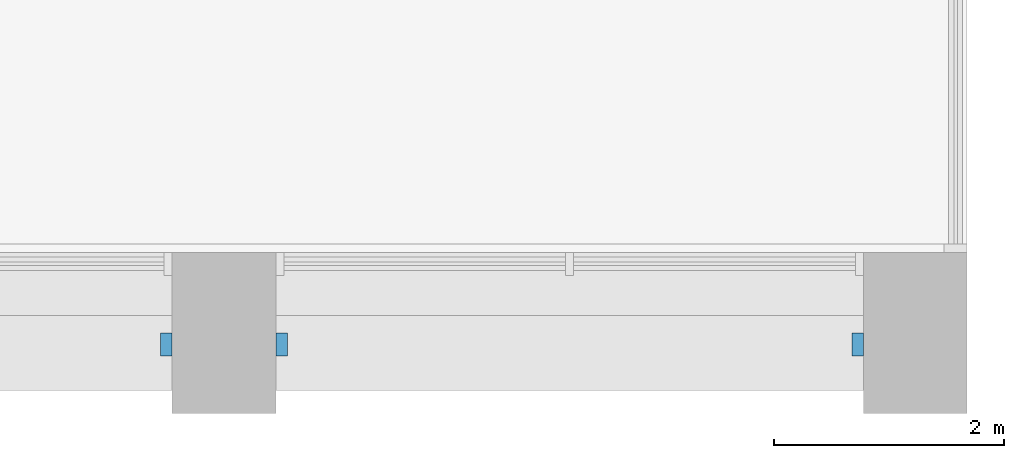
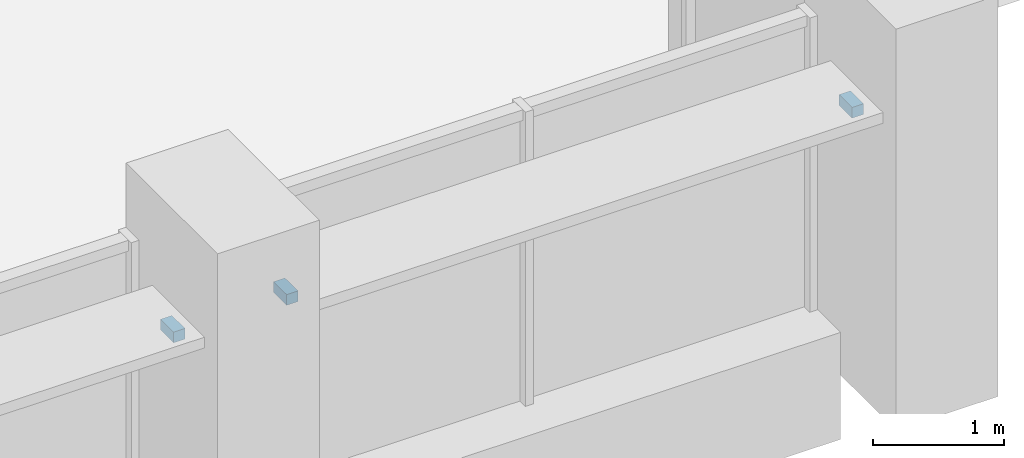
# One storey, part 14 of 15: 3 discrete accessories.
"""IFC4 building model written with IfcOpenShell, lengths in metres."""

from ifc_helpers import new_model, si_unit, direction, frame, origin, origin_2d, place, context, subcontext, project, spatial, rectangle, extrude, element, save


model = new_model("IFC4")

# Units and contexts
model_context = context("Model", 3, precision=1e-05, world=origin(), true_north=direction((0.0, 1.0)))
body_context = subcontext(model_context, "Body", "Model", "MODEL_VIEW")
ifc_project = project(units=[si_unit("LENGTHUNIT", "METRE"), si_unit("AREAUNIT", "SQUARE_METRE"), si_unit("VOLUMEUNIT", "CUBIC_METRE"), si_unit("PLANEANGLEUNIT", "RADIAN"), si_unit("MASSUNIT", "GRAM", prefix="KILO")], contexts=[model_context])

# Site, building, storey
site_placement = place(None, origin())
site = spatial("IfcSite", under=ifc_project, at=site_placement, CompositionType="ELEMENT")
building_placement = place(site_placement, origin())
building = spatial("IfcBuilding", under=site, at=building_placement, Name="Calvaro Tower", CompositionType="ELEMENT")
storey_placement = place(building_placement, frame((0.0, 0.0, 121.25)))
storey = spatial("IfcBuildingStorey", under=building, at=storey_placement, Name="L30", CompositionType="ELEMENT", Elevation=121.25)

# Discrete accessories
for number, where, z_axis, x_axis, name in (
    (1, (59.5, 2.10009765625, 2.25), (0.0, 0.0, 1.0), (1.0, 0.0, 0.0), "Brise-soleil bracket"),
    (2, (60.5, 2.10009765625, 2.25), (0.0, 0.0, 1.0), (1.0, 0.0, 0.0), "Brise-soleil bracket"),
    (3, (65.5, 2.10009765625, 2.25), (0.0, 0.0, 1.0), (1.0, 0.0, 0.0), "Brise-soleil bracket"),
):
    element("IfcDiscreteAccessory", number, at=place(storey_placement, frame(where, z_axis=z_axis, x_axis=x_axis)), inside=storey, Name=name, PredefinedType="BRACKET", context=body_context, shape_type="SweptSolid", body=[
        extrude(rectangle(XDim=0.10009765625, YDim=0.199951171875, at=origin_2d()), origin(), (0.0, 0.0, 1.0), 0.10009765625),
    ])

save(model, "model.ifc")
